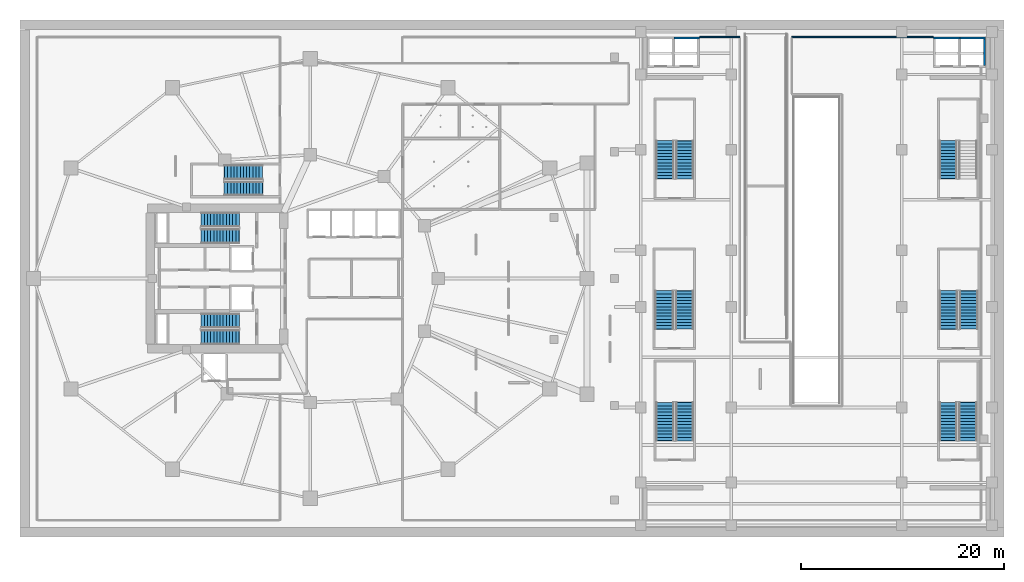
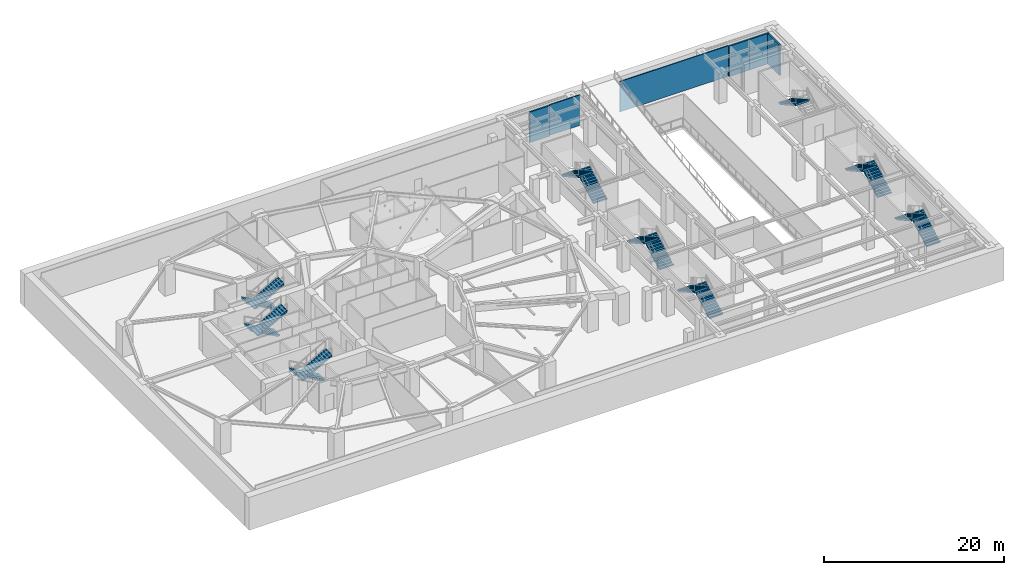
# One storey, part 10 of 16: 17 stair flights, 6 walls, 9 elements without a shape of their own.
"""IFC4 building model written with IfcOpenShell, lengths in metres."""

from ifc_helpers import new_model, si_unit, direction, frame, frame_2d, origin, place, context, subcontext, project, spatial, polyline, rectangle, outline, extrude, material, layer, layer_set, type_object, element, aggregate, save


model = new_model("IFC4")

# Units and contexts
model_context = context("Model", 3, precision=1e-05, world=origin(), true_north=direction((0.0, 1.0)))
body_context = subcontext(model_context, "Body", "Model", "MODEL_VIEW")
ifc_project = project(units=[si_unit("LENGTHUNIT", "METRE"), si_unit("AREAUNIT", "SQUARE_METRE"), si_unit("VOLUMEUNIT", "CUBIC_METRE"), si_unit("PLANEANGLEUNIT", "RADIAN"), si_unit("MASSUNIT", "GRAM", prefix="KILO")], contexts=[model_context])

# Site, building, storey
site_placement = place(None, origin())
site = spatial("IfcSite", under=ifc_project, at=site_placement, CompositionType="ELEMENT")
building_placement = place(site_placement, origin())
building = spatial("IfcBuilding", under=site, at=building_placement, Name="Kolvaren Gate Tower and Convention Centre", CompositionType="ELEMENT")
storey_placement = place(building_placement, frame((0.0, 0.0, -4.5)))
storey = spatial("IfcBuildingStorey", under=building, at=storey_placement, Name="B1", CompositionType="ELEMENT", Elevation=-4.5)

# Walls
ifc_material_1 = material(Name="Fire-Rated Acoustic Gypsum Stud Partition", Category="gypsum")
ifc_layer_1 = layer(ifc_material_1, 0.1201171875)
ifc_layer_set_1 = layer_set([ifc_layer_1], Name="Fire-Rated Acoustic Gypsum Stud Partition")
wall_type_1 = type_object("IfcWallType", Name="ARCH-WL-PART-120", PredefinedType="PARTITIONING", material=ifc_layer_set_1)
wall_1_placement = place(storey_placement, frame((68.5, 50.800048828125, 0.0), z_axis=(0.0, 0.0, 1.0), x_axis=(1.0, 0.0, 0.0)))
element("IfcWall", 1, at=wall_1_placement, inside=storey, type_object=wall_type_1, Name="Interior Partition WL-B1-INT-031", PredefinedType="PARTITIONING", context=body_context, shape_type="SweptSolid", body=[
    extrude(rectangle(XDim=3.949951171875, YDim=0.1201171875, at=frame_2d((1.97509765625, 0.0))), origin(), (0.0, 0.0, 1.0), 4.139892578125),
])
wall_2_placement = place(storey_placement, frame((77.550048828125, 50.800048828125, 0.0), z_axis=(0.0, 0.0, 1.0), x_axis=(1.0, 0.0, 0.0)))
element("IfcWall", 2, at=wall_2_placement, inside=storey, type_object=wall_type_1, Name="Interior Partition WL-B1-INT-032", PredefinedType="PARTITIONING", context=body_context, shape_type="SweptSolid", body=[
    extrude(rectangle(XDim=13.949951171875, YDim=0.1201171875, at=frame_2d((6.97509765625, 0.0))), origin(), (0.0, 0.0, 1.0), 4.139892578125),
])
ifc_material_2 = material(Name="Autoclaved Aerated Masonry Blockwork Class 4 (4.0 MPa)", Category="masonry")
ifc_layer_2 = layer(ifc_material_2, 0.199951171875)
ifc_layer_set_2 = layer_set([ifc_layer_2], Name="Autoclaved Aerated Masonry Blockwork Class 4 (4.0 MPa)")
wall_type_2 = type_object("IfcWallType", Name="ARCH-WL-SHAFT-200", PredefinedType="SOLIDWALL", material=ifc_layer_set_2)
wall_3_placement = place(storey_placement, frame((65.949951171875, 50.699951171875, 0.0), z_axis=(0.0, 0.0, 1.0), x_axis=(1.0, 0.0, 0.0)))
element("IfcWall", 3, at=wall_3_placement, inside=storey, type_object=wall_type_2, Name="Elevator CL-02 B1 Fire Shaft Wall N", PredefinedType="SOLIDWALL", context=body_context, shape_type="SweptSolid", body=[
    extrude(rectangle(XDim=2.5, YDim=0.199951171875, at=frame_2d((1.25, 0.0))), origin(), (0.0, 0.0, 1.0), 4.139892578125),
])
wall_4_placement = place(storey_placement, frame((91.550048828125, 50.699951171875, 0.0), z_axis=(0.0, 0.0, 1.0), x_axis=(1.0, 0.0, 0.0)))
element("IfcWall", 4, at=wall_4_placement, inside=storey, type_object=wall_type_2, Name="Elevator CL-03 B1 Fire Shaft Wall N", PredefinedType="SOLIDWALL", context=body_context, shape_type="SweptSolid", body=[
    extrude(rectangle(XDim=2.599853515625, YDim=0.199951171875, at=frame_2d((1.2998046875, 0.0))), origin(), (0.0, 0.0, 1.0), 4.139892578125),
])
wall_5_placement = place(storey_placement, frame((94.14990234375, 50.699951171875, 0.0), z_axis=(0.0, 0.0, 1.0), x_axis=(1.0, 0.0, 0.0)))
element("IfcWall", 5, at=wall_5_placement, inside=storey, type_object=wall_type_2, Name="Elevator CL-04 B1 Fire Shaft Wall N", PredefinedType="SOLIDWALL", context=body_context, shape_type="SweptSolid", body=[
    extrude(rectangle(XDim=2.5, YDim=0.199951171875, at=frame_2d((1.25, 0.0))), origin(), (0.0, 0.0, 1.0), 4.139892578125),
])
wall_6_placement = place(storey_placement, frame((96.550048828125, 48.010009765625, 0.0), z_axis=(0.0, 0.0, 1.0), x_axis=(0.0, 1.0, 0.0)))
element("IfcWall", 6, at=wall_6_placement, inside=storey, type_object=wall_type_2, Name="Elevator CL-04 B1 Fire Shaft Wall E", PredefinedType="SOLIDWALL", context=body_context, shape_type="SweptSolid", body=[
    extrude(rectangle(XDim=2.580078125, YDim=0.199951171875, at=frame_2d((1.2900390625, 0.0))), origin(), (0.0, 0.0, 1.0), 4.139892578125),
])

# Stair, stair flights
ifc_material_3 = material(Name="Concrete C50/60", Category="concrete")
stair_type_1 = type_object("IfcStairType", Name="STR-STAIR-CORE", PredefinedType="HALF_TURN_STAIR", material=ifc_material_3)
stair_1_placement = place(storey_placement, origin())
stair_1 = element("IfcStair", 7, at=stair_1_placement, inside=storey, type_object=stair_type_1, Name="B1 Tower North Exit Stair ST-T1", PredefinedType="HALF_TURN_STAIR")
stair_flight_type_1 = type_object("IfcStairFlightType", Name="STR-SFL-1420", PredefinedType="STRAIGHT", material=ifc_material_3)
stair_flight_1_placement = place(storey_placement, frame((23.10009765625, 32.7900390625, 0.0), z_axis=(0.0, 0.0, 1.0), x_axis=(-1.0, 0.0, 0.0)))
stair_flight_1 = element("IfcStairFlight", 8, at=stair_flight_1_placement, type_object=stair_flight_type_1, Name="ST-T1 flight 1", NumberOfRisers=13, NumberOfTreads=12, PredefinedType="STRAIGHT", RiserHeight=0.173076923, TreadLength=0.31, context=body_context, shape_type="SweptSolid", body=[
    extrude(outline(polyline([(-0.034912109375, 0.0), (-0.034912109375, 0.173095703125), (0.31005859375, 0.173095703125), (0.31005859375, 0.34619140625), (0.6201171875, 0.34619140625), (0.6201171875, 0.519287109375), (0.929931640625, 0.519287109375), (0.929931640625, 0.6923828125), (1.239990234375, 0.6923828125), (1.239990234375, 0.865478515625), (1.550048828125, 0.865478515625), (1.550048828125, 1.03857421875), (1.860107421875, 1.03857421875), (1.860107421875, 1.21142578125), (2.169921875, 1.21142578125), (2.169921875, 1.384521484375), (2.47998046875, 1.384521484375), (2.47998046875, 1.5576171875), (2.7900390625, 1.5576171875), (2.7900390625, 1.730712890625), (3.10009765625, 1.730712890625), (3.10009765625, 1.90380859375), (3.409912109375, 1.90380859375), (3.409912109375, 2.076904296875), (3.719970703125, 2.076904296875), (3.719970703125, 2.25), (3.764892578125, 2.25), (3.764892578125, 2.090087890625), (3.719970703125, 1.9052734375), (0.3076171875, 0.0), (-0.034912109375, 0.0)])), frame((0.0, 0.7099609375, 0.0), z_axis=(0.0, -1.0, 0.0), x_axis=(1.0, 0.0, 0.0)), (0.0, 0.0, 1.0), 1.419921875),
])
stair_flight_2_placement = place(storey_placement, frame((19.3798828125, 31.169921875, 2.25), z_axis=(0.0, 0.0, 1.0), x_axis=(1.0, 0.0, 0.0)))
stair_flight_2 = element("IfcStairFlight", 9, at=stair_flight_2_placement, type_object=stair_flight_type_1, Name="ST-T1 flight 2", NumberOfRisers=13, NumberOfTreads=12, PredefinedType="STRAIGHT", RiserHeight=0.173076923, TreadLength=0.31, context=body_context, shape_type="SweptSolid", body=[
    extrude(outline(polyline([(-0.034912109375, 0.0), (-0.034912109375, 0.173095703125), (0.31005859375, 0.173095703125), (0.31005859375, 0.34619140625), (0.6201171875, 0.34619140625), (0.6201171875, 0.519287109375), (0.929931640625, 0.519287109375), (0.929931640625, 0.6923828125), (1.239990234375, 0.6923828125), (1.239990234375, 0.865478515625), (1.550048828125, 0.865478515625), (1.550048828125, 1.03857421875), (1.860107421875, 1.03857421875), (1.860107421875, 1.21142578125), (2.169921875, 1.21142578125), (2.169921875, 1.384521484375), (2.47998046875, 1.384521484375), (2.47998046875, 1.5576171875), (2.7900390625, 1.5576171875), (2.7900390625, 1.730712890625), (3.10009765625, 1.730712890625), (3.10009765625, 1.90380859375), (3.409912109375, 1.90380859375), (3.409912109375, 2.076904296875), (3.719970703125, 2.076904296875), (3.719970703125, 2.25), (3.764892578125, 2.25), (3.764892578125, 2.090087890625), (3.719970703125, 1.9052734375), (0.3076171875, 0.0), (-0.034912109375, 0.0)])), frame((0.0, 0.7099609375, 0.0), z_axis=(0.0, -1.0, 0.0), x_axis=(1.0, 0.0, 0.0)), (0.0, 0.0, 1.0), 1.419921875),
])
aggregate(stair_1, [stair_flight_1, stair_flight_2])

stair_2_placement = place(storey_placement, origin())
stair_2 = element("IfcStair", 10, at=stair_2_placement, inside=storey, type_object=stair_type_1, Name="B1 Tower South Exit Stair ST-T2", PredefinedType="HALF_TURN_STAIR")
stair_flight_3_placement = place(storey_placement, frame((23.10009765625, 22.830078125, 0.0), z_axis=(0.0, 0.0, 1.0), x_axis=(-1.0, 0.0, 0.0)))
stair_flight_3 = element("IfcStairFlight", 11, at=stair_flight_3_placement, type_object=stair_flight_type_1, Name="ST-T2 flight 1", NumberOfRisers=13, NumberOfTreads=12, PredefinedType="STRAIGHT", RiserHeight=0.173076923, TreadLength=0.31, context=body_context, shape_type="SweptSolid", body=[
    extrude(outline(polyline([(-0.034912109375, 0.0), (-0.034912109375, 0.173095703125), (0.31005859375, 0.173095703125), (0.31005859375, 0.34619140625), (0.6201171875, 0.34619140625), (0.6201171875, 0.519287109375), (0.929931640625, 0.519287109375), (0.929931640625, 0.6923828125), (1.239990234375, 0.6923828125), (1.239990234375, 0.865478515625), (1.550048828125, 0.865478515625), (1.550048828125, 1.03857421875), (1.860107421875, 1.03857421875), (1.860107421875, 1.21142578125), (2.169921875, 1.21142578125), (2.169921875, 1.384521484375), (2.47998046875, 1.384521484375), (2.47998046875, 1.5576171875), (2.7900390625, 1.5576171875), (2.7900390625, 1.730712890625), (3.10009765625, 1.730712890625), (3.10009765625, 1.90380859375), (3.409912109375, 1.90380859375), (3.409912109375, 2.076904296875), (3.719970703125, 2.076904296875), (3.719970703125, 2.25), (3.764892578125, 2.25), (3.764892578125, 2.090087890625), (3.719970703125, 1.9052734375), (0.3076171875, 0.0), (-0.034912109375, 0.0)])), frame((0.0, 0.7099609375, 0.0), z_axis=(0.0, -1.0, 0.0), x_axis=(1.0, 0.0, 0.0)), (0.0, 0.0, 1.0), 1.419921875),
])
stair_flight_4_placement = place(storey_placement, frame((19.3798828125, 21.2099609375, 2.25), z_axis=(0.0, 0.0, 1.0), x_axis=(1.0, 0.0, 0.0)))
stair_flight_4 = element("IfcStairFlight", 12, at=stair_flight_4_placement, type_object=stair_flight_type_1, Name="ST-T2 flight 2", NumberOfRisers=13, NumberOfTreads=12, PredefinedType="STRAIGHT", RiserHeight=0.173076923, TreadLength=0.31, context=body_context, shape_type="SweptSolid", body=[
    extrude(outline(polyline([(-0.034912109375, 0.0), (-0.034912109375, 0.173095703125), (0.31005859375, 0.173095703125), (0.31005859375, 0.34619140625), (0.6201171875, 0.34619140625), (0.6201171875, 0.519287109375), (0.929931640625, 0.519287109375), (0.929931640625, 0.6923828125), (1.239990234375, 0.6923828125), (1.239990234375, 0.865478515625), (1.550048828125, 0.865478515625), (1.550048828125, 1.03857421875), (1.860107421875, 1.03857421875), (1.860107421875, 1.21142578125), (2.169921875, 1.21142578125), (2.169921875, 1.384521484375), (2.47998046875, 1.384521484375), (2.47998046875, 1.5576171875), (2.7900390625, 1.5576171875), (2.7900390625, 1.730712890625), (3.10009765625, 1.730712890625), (3.10009765625, 1.90380859375), (3.409912109375, 1.90380859375), (3.409912109375, 2.076904296875), (3.719970703125, 2.076904296875), (3.719970703125, 2.25), (3.764892578125, 2.25), (3.764892578125, 2.090087890625), (3.719970703125, 1.9052734375), (0.3076171875, 0.0), (-0.034912109375, 0.0)])), frame((0.0, 0.7099609375, 0.0), z_axis=(0.0, -1.0, 0.0), x_axis=(1.0, 0.0, 0.0)), (0.0, 0.0, 1.0), 1.419921875),
])
aggregate(stair_2, [stair_flight_3, stair_flight_4])

stair_3_placement = place(storey_placement, origin())
stair_3 = element("IfcStair", 13, at=stair_3_placement, inside=storey, type_object=stair_type_1, Name="B1 Tower Mid-Zone Exit Stair ST-T3", PredefinedType="HALF_TURN_STAIR")
stair_flight_5_placement = place(storey_placement, frame((25.39990234375, 37.489990234375, 0.0), z_axis=(0.0, 0.0, 1.0), x_axis=(-1.0, 0.0, 0.0)))
stair_flight_5 = element("IfcStairFlight", 14, at=stair_flight_5_placement, type_object=stair_flight_type_1, Name="ST-T3 flight 1", NumberOfRisers=13, NumberOfTreads=12, PredefinedType="STRAIGHT", RiserHeight=0.173076923, TreadLength=0.31, context=body_context, shape_type="SweptSolid", body=[
    extrude(outline(polyline([(-0.034912109375, 0.0), (-0.034912109375, 0.173095703125), (0.31005859375, 0.173095703125), (0.31005859375, 0.34619140625), (0.6201171875, 0.34619140625), (0.6201171875, 0.519287109375), (0.929931640625, 0.519287109375), (0.929931640625, 0.6923828125), (1.239990234375, 0.6923828125), (1.239990234375, 0.865478515625), (1.550048828125, 0.865478515625), (1.550048828125, 1.03857421875), (1.860107421875, 1.03857421875), (1.860107421875, 1.21142578125), (2.169921875, 1.21142578125), (2.169921875, 1.384521484375), (2.47998046875, 1.384521484375), (2.47998046875, 1.5576171875), (2.7900390625, 1.5576171875), (2.7900390625, 1.730712890625), (3.10009765625, 1.730712890625), (3.10009765625, 1.90380859375), (3.409912109375, 1.90380859375), (3.409912109375, 2.076904296875), (3.719970703125, 2.076904296875), (3.719970703125, 2.25), (3.764892578125, 2.25), (3.764892578125, 2.090087890625), (3.719970703125, 1.9052734375), (0.3076171875, 0.0), (-0.034912109375, 0.0)])), frame((0.0, 0.7099609375, 0.0), z_axis=(0.0, -1.0, 0.0), x_axis=(1.0, 0.0, 0.0)), (0.0, 0.0, 1.0), 1.419921875),
])
stair_flight_6_placement = place(storey_placement, frame((21.679931640625, 35.8701171875, 2.25), z_axis=(0.0, 0.0, 1.0), x_axis=(1.0, 0.0, 0.0)))
stair_flight_6 = element("IfcStairFlight", 15, at=stair_flight_6_placement, type_object=stair_flight_type_1, Name="ST-T3 flight 2", NumberOfRisers=13, NumberOfTreads=12, PredefinedType="STRAIGHT", RiserHeight=0.173076923, TreadLength=0.31, context=body_context, shape_type="SweptSolid", body=[
    extrude(outline(polyline([(-0.034912109375, 0.0), (-0.034912109375, 0.173095703125), (0.31005859375, 0.173095703125), (0.31005859375, 0.34619140625), (0.6201171875, 0.34619140625), (0.6201171875, 0.519287109375), (0.929931640625, 0.519287109375), (0.929931640625, 0.6923828125), (1.239990234375, 0.6923828125), (1.239990234375, 0.865478515625), (1.550048828125, 0.865478515625), (1.550048828125, 1.03857421875), (1.860107421875, 1.03857421875), (1.860107421875, 1.21142578125), (2.169921875, 1.21142578125), (2.169921875, 1.384521484375), (2.47998046875, 1.384521484375), (2.47998046875, 1.5576171875), (2.7900390625, 1.5576171875), (2.7900390625, 1.730712890625), (3.10009765625, 1.730712890625), (3.10009765625, 1.90380859375), (3.409912109375, 1.90380859375), (3.409912109375, 2.076904296875), (3.719970703125, 2.076904296875), (3.719970703125, 2.25), (3.764892578125, 2.25), (3.764892578125, 2.090087890625), (3.719970703125, 1.9052734375), (0.3076171875, 0.0), (-0.034912109375, 0.0)])), frame((0.0, 0.7099609375, 0.0), z_axis=(0.0, -1.0, 0.0), x_axis=(1.0, 0.0, 0.0)), (0.0, 0.0, 1.0), 1.419921875),
])
aggregate(stair_3, [stair_flight_5, stair_flight_6])

stair_type_2 = type_object("IfcStairType", Name="STR-STAIR-CONV", PredefinedType="HALF_TURN_STAIR", material=ifc_material_3)
stair_4_placement = place(storey_placement, origin())
stair_4 = element("IfcStair", 16, at=stair_4_placement, inside=storey, type_object=stair_type_2, Name="B1 Convention NW Exit Stair ST-C1", PredefinedType="HALF_TURN_STAIR")
stair_flight_type_2 = type_object("IfcStairFlightType", Name="STR-SFL-1750", PredefinedType="STRAIGHT", material=ifc_material_3)
stair_flight_7_placement = place(storey_placement, frame((67.02490234375, 36.85009765625, 0.0), z_axis=(0.0, 0.0, 1.0), x_axis=(0.0, 1.0, 0.0)))
stair_flight_7 = element("IfcStairFlight", 17, at=stair_flight_7_placement, type_object=stair_flight_type_2, Name="ST-C1 flight 1", NumberOfRisers=13, NumberOfTreads=12, PredefinedType="STRAIGHT", RiserHeight=0.173076923, TreadLength=0.31, context=body_context, shape_type="SweptSolid", body=[
    extrude(outline(polyline([(-0.034912109375, 0.0), (-0.034912109375, 0.173095703125), (0.31005859375, 0.173095703125), (0.31005859375, 0.34619140625), (0.6201171875, 0.34619140625), (0.6201171875, 0.519287109375), (0.929931640625, 0.519287109375), (0.929931640625, 0.6923828125), (1.239990234375, 0.6923828125), (1.239990234375, 0.865478515625), (1.550048828125, 0.865478515625), (1.550048828125, 1.03857421875), (1.860107421875, 1.03857421875), (1.860107421875, 1.21142578125), (2.169921875, 1.21142578125), (2.169921875, 1.384521484375), (2.47998046875, 1.384521484375), (2.47998046875, 1.5576171875), (2.7900390625, 1.5576171875), (2.7900390625, 1.730712890625), (3.10009765625, 1.730712890625), (3.10009765625, 1.90380859375), (3.409912109375, 1.90380859375), (3.409912109375, 2.076904296875), (3.719970703125, 2.076904296875), (3.719970703125, 2.25), (3.764892578125, 2.25), (3.764892578125, 2.090087890625), (3.719970703125, 1.9052734375), (0.3076171875, 0.0), (-0.034912109375, 0.0)])), frame((0.0, 0.875, 0.0), z_axis=(0.0, -1.0, 0.0), x_axis=(1.0, 0.0, 0.0)), (0.0, 0.0, 1.0), 1.75),
])
stair_flight_8_placement = place(storey_placement, frame((65.074951171875, 40.570068359375, 2.25), z_axis=(0.0, 0.0, 1.0), x_axis=(0.0, -1.0, 0.0)))
stair_flight_8 = element("IfcStairFlight", 18, at=stair_flight_8_placement, type_object=stair_flight_type_2, Name="ST-C1 flight 2", NumberOfRisers=13, NumberOfTreads=12, PredefinedType="STRAIGHT", RiserHeight=0.173076923, TreadLength=0.31, context=body_context, shape_type="SweptSolid", body=[
    extrude(outline(polyline([(-0.034912109375, 0.0), (-0.034912109375, 0.173095703125), (0.31005859375, 0.173095703125), (0.31005859375, 0.34619140625), (0.6201171875, 0.34619140625), (0.6201171875, 0.519287109375), (0.929931640625, 0.519287109375), (0.929931640625, 0.6923828125), (1.239990234375, 0.6923828125), (1.239990234375, 0.865478515625), (1.550048828125, 0.865478515625), (1.550048828125, 1.03857421875), (1.860107421875, 1.03857421875), (1.860107421875, 1.21142578125), (2.169921875, 1.21142578125), (2.169921875, 1.384521484375), (2.47998046875, 1.384521484375), (2.47998046875, 1.5576171875), (2.7900390625, 1.5576171875), (2.7900390625, 1.730712890625), (3.10009765625, 1.730712890625), (3.10009765625, 1.90380859375), (3.409912109375, 1.90380859375), (3.409912109375, 2.076904296875), (3.719970703125, 2.076904296875), (3.719970703125, 2.25), (3.764892578125, 2.25), (3.764892578125, 2.090087890625), (3.719970703125, 1.9052734375), (0.3076171875, 0.0), (-0.034912109375, 0.0)])), frame((0.0, 0.875, 0.0), z_axis=(0.0, -1.0, 0.0), x_axis=(1.0, 0.0, 0.0)), (0.0, 0.0, 1.0), 1.75),
])
aggregate(stair_4, [stair_flight_7, stair_flight_8])

stair_5_placement = place(storey_placement, origin())
stair_5 = element("IfcStair", 19, at=stair_5_placement, inside=storey, type_object=stair_type_2, Name="B1 Convention SW Exit Stair ST-C2", PredefinedType="HALF_TURN_STAIR")
stair_flight_9_placement = place(storey_placement, frame((67.02490234375, 11.050048828125, 0.0), z_axis=(0.0, 0.0, 1.0), x_axis=(0.0, 1.0, 0.0)))
stair_flight_9 = element("IfcStairFlight", 20, at=stair_flight_9_placement, type_object=stair_flight_type_2, Name="ST-C2 flight 1", NumberOfRisers=13, NumberOfTreads=12, PredefinedType="STRAIGHT", RiserHeight=0.173076923, TreadLength=0.31, context=body_context, shape_type="SweptSolid", body=[
    extrude(outline(polyline([(-0.034912109375, 0.0), (-0.034912109375, 0.173095703125), (0.31005859375, 0.173095703125), (0.31005859375, 0.34619140625), (0.6201171875, 0.34619140625), (0.6201171875, 0.519287109375), (0.929931640625, 0.519287109375), (0.929931640625, 0.6923828125), (1.239990234375, 0.6923828125), (1.239990234375, 0.865478515625), (1.550048828125, 0.865478515625), (1.550048828125, 1.03857421875), (1.860107421875, 1.03857421875), (1.860107421875, 1.21142578125), (2.169921875, 1.21142578125), (2.169921875, 1.384521484375), (2.47998046875, 1.384521484375), (2.47998046875, 1.5576171875), (2.7900390625, 1.5576171875), (2.7900390625, 1.730712890625), (3.10009765625, 1.730712890625), (3.10009765625, 1.90380859375), (3.409912109375, 1.90380859375), (3.409912109375, 2.076904296875), (3.719970703125, 2.076904296875), (3.719970703125, 2.25), (3.764892578125, 2.25), (3.764892578125, 2.090087890625), (3.719970703125, 1.9052734375), (0.3076171875, 0.0), (-0.034912109375, 0.0)])), frame((0.0, 0.875, 0.0), z_axis=(0.0, -1.0, 0.0), x_axis=(1.0, 0.0, 0.0)), (0.0, 0.0, 1.0), 1.75),
])
stair_flight_10_placement = place(storey_placement, frame((65.074951171875, 14.77001953125, 2.25), z_axis=(0.0, 0.0, 1.0), x_axis=(0.0, -1.0, 0.0)))
stair_flight_10 = element("IfcStairFlight", 21, at=stair_flight_10_placement, type_object=stair_flight_type_2, Name="ST-C2 flight 2", NumberOfRisers=13, NumberOfTreads=12, PredefinedType="STRAIGHT", RiserHeight=0.173076923, TreadLength=0.31, context=body_context, shape_type="SweptSolid", body=[
    extrude(outline(polyline([(-0.034912109375, 0.0), (-0.034912109375, 0.173095703125), (0.31005859375, 0.173095703125), (0.31005859375, 0.34619140625), (0.6201171875, 0.34619140625), (0.6201171875, 0.519287109375), (0.929931640625, 0.519287109375), (0.929931640625, 0.6923828125), (1.239990234375, 0.6923828125), (1.239990234375, 0.865478515625), (1.550048828125, 0.865478515625), (1.550048828125, 1.03857421875), (1.860107421875, 1.03857421875), (1.860107421875, 1.21142578125), (2.169921875, 1.21142578125), (2.169921875, 1.384521484375), (2.47998046875, 1.384521484375), (2.47998046875, 1.5576171875), (2.7900390625, 1.5576171875), (2.7900390625, 1.730712890625), (3.10009765625, 1.730712890625), (3.10009765625, 1.90380859375), (3.409912109375, 1.90380859375), (3.409912109375, 2.076904296875), (3.719970703125, 2.076904296875), (3.719970703125, 2.25), (3.764892578125, 2.25), (3.764892578125, 2.090087890625), (3.719970703125, 1.9052734375), (0.3076171875, 0.0), (-0.034912109375, 0.0)])), frame((0.0, 0.875, 0.0), z_axis=(0.0, -1.0, 0.0), x_axis=(1.0, 0.0, 0.0)), (0.0, 0.0, 1.0), 1.75),
])
aggregate(stair_5, [stair_flight_9, stair_flight_10])

# Stair, stair flight
stair_6_placement = place(storey_placement, origin())
stair_6 = element("IfcStair", 22, at=stair_6_placement, inside=storey, type_object=stair_type_2, Name="B1 Convention NE Exit Stair ST-C3", PredefinedType="HALF_TURN_STAIR")
stair_flight_11_placement = place(storey_placement, frame((92.97509765625, 40.570068359375, 2.25), z_axis=(0.0, 0.0, 1.0), x_axis=(0.0, -1.0, 0.0)))
stair_flight_11 = element("IfcStairFlight", 23, at=stair_flight_11_placement, type_object=stair_flight_type_2, Name="ST-C3 flight 2", NumberOfRisers=13, NumberOfTreads=12, PredefinedType="STRAIGHT", RiserHeight=0.173076923, TreadLength=0.31, context=body_context, shape_type="SweptSolid", body=[
    extrude(outline(polyline([(-0.034912109375, 0.0), (-0.034912109375, 0.173095703125), (0.31005859375, 0.173095703125), (0.31005859375, 0.34619140625), (0.6201171875, 0.34619140625), (0.6201171875, 0.519287109375), (0.929931640625, 0.519287109375), (0.929931640625, 0.6923828125), (1.239990234375, 0.6923828125), (1.239990234375, 0.865478515625), (1.550048828125, 0.865478515625), (1.550048828125, 1.03857421875), (1.860107421875, 1.03857421875), (1.860107421875, 1.21142578125), (2.169921875, 1.21142578125), (2.169921875, 1.384521484375), (2.47998046875, 1.384521484375), (2.47998046875, 1.5576171875), (2.7900390625, 1.5576171875), (2.7900390625, 1.730712890625), (3.10009765625, 1.730712890625), (3.10009765625, 1.90380859375), (3.409912109375, 1.90380859375), (3.409912109375, 2.076904296875), (3.719970703125, 2.076904296875), (3.719970703125, 2.25), (3.764892578125, 2.25), (3.764892578125, 2.090087890625), (3.719970703125, 1.9052734375), (0.3076171875, 0.0), (-0.034912109375, 0.0)])), frame((0.0, 0.875, 0.0), z_axis=(0.0, -1.0, 0.0), x_axis=(1.0, 0.0, 0.0)), (0.0, 0.0, 1.0), 1.75),
])
aggregate(stair_6, [stair_flight_11])

# Stair, stair flights
stair_7_placement = place(storey_placement, origin())
stair_7 = element("IfcStair", 24, at=stair_7_placement, inside=storey, type_object=stair_type_2, Name="B1 Convention SE Exit Stair ST-C4", PredefinedType="HALF_TURN_STAIR")
stair_flight_12_placement = place(storey_placement, frame((94.925048828125, 11.050048828125, 0.0), z_axis=(0.0, 0.0, 1.0), x_axis=(0.0, 1.0, 0.0)))
stair_flight_12 = element("IfcStairFlight", 25, at=stair_flight_12_placement, type_object=stair_flight_type_2, Name="ST-C4 flight 1", NumberOfRisers=13, NumberOfTreads=12, PredefinedType="STRAIGHT", RiserHeight=0.173076923, TreadLength=0.31, context=body_context, shape_type="SweptSolid", body=[
    extrude(outline(polyline([(-0.034912109375, 0.0), (-0.034912109375, 0.173095703125), (0.31005859375, 0.173095703125), (0.31005859375, 0.34619140625), (0.6201171875, 0.34619140625), (0.6201171875, 0.519287109375), (0.929931640625, 0.519287109375), (0.929931640625, 0.6923828125), (1.239990234375, 0.6923828125), (1.239990234375, 0.865478515625), (1.550048828125, 0.865478515625), (1.550048828125, 1.03857421875), (1.860107421875, 1.03857421875), (1.860107421875, 1.21142578125), (2.169921875, 1.21142578125), (2.169921875, 1.384521484375), (2.47998046875, 1.384521484375), (2.47998046875, 1.5576171875), (2.7900390625, 1.5576171875), (2.7900390625, 1.730712890625), (3.10009765625, 1.730712890625), (3.10009765625, 1.90380859375), (3.409912109375, 1.90380859375), (3.409912109375, 2.076904296875), (3.719970703125, 2.076904296875), (3.719970703125, 2.25), (3.764892578125, 2.25), (3.764892578125, 2.090087890625), (3.719970703125, 1.9052734375), (0.3076171875, 0.0), (-0.034912109375, 0.0)])), frame((0.0, 0.875, 0.0), z_axis=(0.0, -1.0, 0.0), x_axis=(1.0, 0.0, 0.0)), (0.0, 0.0, 1.0), 1.75),
])
stair_flight_13_placement = place(storey_placement, frame((92.97509765625, 14.77001953125, 2.25), z_axis=(0.0, 0.0, 1.0), x_axis=(0.0, -1.0, 0.0)))
stair_flight_13 = element("IfcStairFlight", 26, at=stair_flight_13_placement, type_object=stair_flight_type_2, Name="ST-C4 flight 2", NumberOfRisers=13, NumberOfTreads=12, PredefinedType="STRAIGHT", RiserHeight=0.173076923, TreadLength=0.31, context=body_context, shape_type="SweptSolid", body=[
    extrude(outline(polyline([(-0.034912109375, 0.0), (-0.034912109375, 0.173095703125), (0.31005859375, 0.173095703125), (0.31005859375, 0.34619140625), (0.6201171875, 0.34619140625), (0.6201171875, 0.519287109375), (0.929931640625, 0.519287109375), (0.929931640625, 0.6923828125), (1.239990234375, 0.6923828125), (1.239990234375, 0.865478515625), (1.550048828125, 0.865478515625), (1.550048828125, 1.03857421875), (1.860107421875, 1.03857421875), (1.860107421875, 1.21142578125), (2.169921875, 1.21142578125), (2.169921875, 1.384521484375), (2.47998046875, 1.384521484375), (2.47998046875, 1.5576171875), (2.7900390625, 1.5576171875), (2.7900390625, 1.730712890625), (3.10009765625, 1.730712890625), (3.10009765625, 1.90380859375), (3.409912109375, 1.90380859375), (3.409912109375, 2.076904296875), (3.719970703125, 2.076904296875), (3.719970703125, 2.25), (3.764892578125, 2.25), (3.764892578125, 2.090087890625), (3.719970703125, 1.9052734375), (0.3076171875, 0.0), (-0.034912109375, 0.0)])), frame((0.0, 0.875, 0.0), z_axis=(0.0, -1.0, 0.0), x_axis=(1.0, 0.0, 0.0)), (0.0, 0.0, 1.0), 1.75),
])
aggregate(stair_7, [stair_flight_12, stair_flight_13])

stair_8_placement = place(storey_placement, origin())
stair_8 = element("IfcStair", 27, at=stair_8_placement, inside=storey, type_object=stair_type_2, Name="B1 Convention West Assembly Stair ST-C5", PredefinedType="HALF_TURN_STAIR")
stair_flight_14_placement = place(storey_placement, frame((67.0, 22.050048828125, 0.0), z_axis=(0.0, 0.0, 1.0), x_axis=(0.0, 1.0, 0.0)))
stair_flight_14 = element("IfcStairFlight", 28, at=stair_flight_14_placement, type_object=stair_flight_type_2, Name="ST-C5 flight 1", NumberOfRisers=13, NumberOfTreads=12, PredefinedType="STRAIGHT", RiserHeight=0.173076923, TreadLength=0.31, context=body_context, shape_type="SweptSolid", body=[
    extrude(outline(polyline([(-0.034912109375, 0.0), (-0.034912109375, 0.173095703125), (0.31005859375, 0.173095703125), (0.31005859375, 0.34619140625), (0.6201171875, 0.34619140625), (0.6201171875, 0.519287109375), (0.929931640625, 0.519287109375), (0.929931640625, 0.6923828125), (1.239990234375, 0.6923828125), (1.239990234375, 0.865478515625), (1.550048828125, 0.865478515625), (1.550048828125, 1.03857421875), (1.860107421875, 1.03857421875), (1.860107421875, 1.21142578125), (2.169921875, 1.21142578125), (2.169921875, 1.384521484375), (2.47998046875, 1.384521484375), (2.47998046875, 1.5576171875), (2.7900390625, 1.5576171875), (2.7900390625, 1.730712890625), (3.10009765625, 1.730712890625), (3.10009765625, 1.90380859375), (3.409912109375, 1.90380859375), (3.409912109375, 2.076904296875), (3.719970703125, 2.076904296875), (3.719970703125, 2.25), (3.764892578125, 2.25), (3.764892578125, 2.090087890625), (3.719970703125, 1.9052734375), (0.3076171875, 0.0), (-0.034912109375, 0.0)])), frame((0.0, 0.89990234375, 0.0), z_axis=(0.0, -1.0, 0.0), x_axis=(1.0, 0.0, 0.0)), (0.0, 0.0, 1.0), 1.800048828125),
])
stair_flight_15_placement = place(storey_placement, frame((65.0, 25.77001953125, 2.25), z_axis=(0.0, 0.0, 1.0), x_axis=(0.0, -1.0, 0.0)))
stair_flight_15 = element("IfcStairFlight", 29, at=stair_flight_15_placement, type_object=stair_flight_type_2, Name="ST-C5 flight 2", NumberOfRisers=13, NumberOfTreads=12, PredefinedType="STRAIGHT", RiserHeight=0.173076923, TreadLength=0.31, context=body_context, shape_type="SweptSolid", body=[
    extrude(outline(polyline([(-0.034912109375, 0.0), (-0.034912109375, 0.173095703125), (0.31005859375, 0.173095703125), (0.31005859375, 0.34619140625), (0.6201171875, 0.34619140625), (0.6201171875, 0.519287109375), (0.929931640625, 0.519287109375), (0.929931640625, 0.6923828125), (1.239990234375, 0.6923828125), (1.239990234375, 0.865478515625), (1.550048828125, 0.865478515625), (1.550048828125, 1.03857421875), (1.860107421875, 1.03857421875), (1.860107421875, 1.21142578125), (2.169921875, 1.21142578125), (2.169921875, 1.384521484375), (2.47998046875, 1.384521484375), (2.47998046875, 1.5576171875), (2.7900390625, 1.5576171875), (2.7900390625, 1.730712890625), (3.10009765625, 1.730712890625), (3.10009765625, 1.90380859375), (3.409912109375, 1.90380859375), (3.409912109375, 2.076904296875), (3.719970703125, 2.076904296875), (3.719970703125, 2.25), (3.764892578125, 2.25), (3.764892578125, 2.090087890625), (3.719970703125, 1.9052734375), (0.3076171875, 0.0), (-0.034912109375, 0.0)])), frame((0.0, 0.89990234375, 0.0), z_axis=(0.0, -1.0, 0.0), x_axis=(1.0, 0.0, 0.0)), (0.0, 0.0, 1.0), 1.800048828125),
])
aggregate(stair_8, [stair_flight_14, stair_flight_15])

stair_9_placement = place(storey_placement, origin())
stair_9 = element("IfcStair", 30, at=stair_9_placement, inside=storey, type_object=stair_type_2, Name="B1 Convention East Assembly Stair ST-C6", PredefinedType="HALF_TURN_STAIR")
stair_flight_16_placement = place(storey_placement, frame((95.0, 22.050048828125, 0.0), z_axis=(0.0, 0.0, 1.0), x_axis=(0.0, 1.0, 0.0)))
stair_flight_16 = element("IfcStairFlight", 31, at=stair_flight_16_placement, type_object=stair_flight_type_2, Name="ST-C6 flight 1", NumberOfRisers=13, NumberOfTreads=12, PredefinedType="STRAIGHT", RiserHeight=0.173076923, TreadLength=0.31, context=body_context, shape_type="SweptSolid", body=[
    extrude(outline(polyline([(-0.034912109375, 0.0), (-0.034912109375, 0.173095703125), (0.31005859375, 0.173095703125), (0.31005859375, 0.34619140625), (0.6201171875, 0.34619140625), (0.6201171875, 0.519287109375), (0.929931640625, 0.519287109375), (0.929931640625, 0.6923828125), (1.239990234375, 0.6923828125), (1.239990234375, 0.865478515625), (1.550048828125, 0.865478515625), (1.550048828125, 1.03857421875), (1.860107421875, 1.03857421875), (1.860107421875, 1.21142578125), (2.169921875, 1.21142578125), (2.169921875, 1.384521484375), (2.47998046875, 1.384521484375), (2.47998046875, 1.5576171875), (2.7900390625, 1.5576171875), (2.7900390625, 1.730712890625), (3.10009765625, 1.730712890625), (3.10009765625, 1.90380859375), (3.409912109375, 1.90380859375), (3.409912109375, 2.076904296875), (3.719970703125, 2.076904296875), (3.719970703125, 2.25), (3.764892578125, 2.25), (3.764892578125, 2.090087890625), (3.719970703125, 1.9052734375), (0.3076171875, 0.0), (-0.034912109375, 0.0)])), frame((0.0, 0.89990234375, 0.0), z_axis=(0.0, -1.0, 0.0), x_axis=(1.0, 0.0, 0.0)), (0.0, 0.0, 1.0), 1.800048828125),
])
stair_flight_17_placement = place(storey_placement, frame((93.0, 25.77001953125, 2.25), z_axis=(0.0, 0.0, 1.0), x_axis=(0.0, -1.0, 0.0)))
stair_flight_17 = element("IfcStairFlight", 32, at=stair_flight_17_placement, type_object=stair_flight_type_2, Name="ST-C6 flight 2", NumberOfRisers=13, NumberOfTreads=12, PredefinedType="STRAIGHT", RiserHeight=0.173076923, TreadLength=0.31, context=body_context, shape_type="SweptSolid", body=[
    extrude(outline(polyline([(-0.034912109375, 0.0), (-0.034912109375, 0.173095703125), (0.31005859375, 0.173095703125), (0.31005859375, 0.34619140625), (0.6201171875, 0.34619140625), (0.6201171875, 0.519287109375), (0.929931640625, 0.519287109375), (0.929931640625, 0.6923828125), (1.239990234375, 0.6923828125), (1.239990234375, 0.865478515625), (1.550048828125, 0.865478515625), (1.550048828125, 1.03857421875), (1.860107421875, 1.03857421875), (1.860107421875, 1.21142578125), (2.169921875, 1.21142578125), (2.169921875, 1.384521484375), (2.47998046875, 1.384521484375), (2.47998046875, 1.5576171875), (2.7900390625, 1.5576171875), (2.7900390625, 1.730712890625), (3.10009765625, 1.730712890625), (3.10009765625, 1.90380859375), (3.409912109375, 1.90380859375), (3.409912109375, 2.076904296875), (3.719970703125, 2.076904296875), (3.719970703125, 2.25), (3.764892578125, 2.25), (3.764892578125, 2.090087890625), (3.719970703125, 1.9052734375), (0.3076171875, 0.0), (-0.034912109375, 0.0)])), frame((0.0, 0.89990234375, 0.0), z_axis=(0.0, -1.0, 0.0), x_axis=(1.0, 0.0, 0.0)), (0.0, 0.0, 1.0), 1.800048828125),
])
aggregate(stair_9, [stair_flight_16, stair_flight_17])

save(model, "model.ifc")
